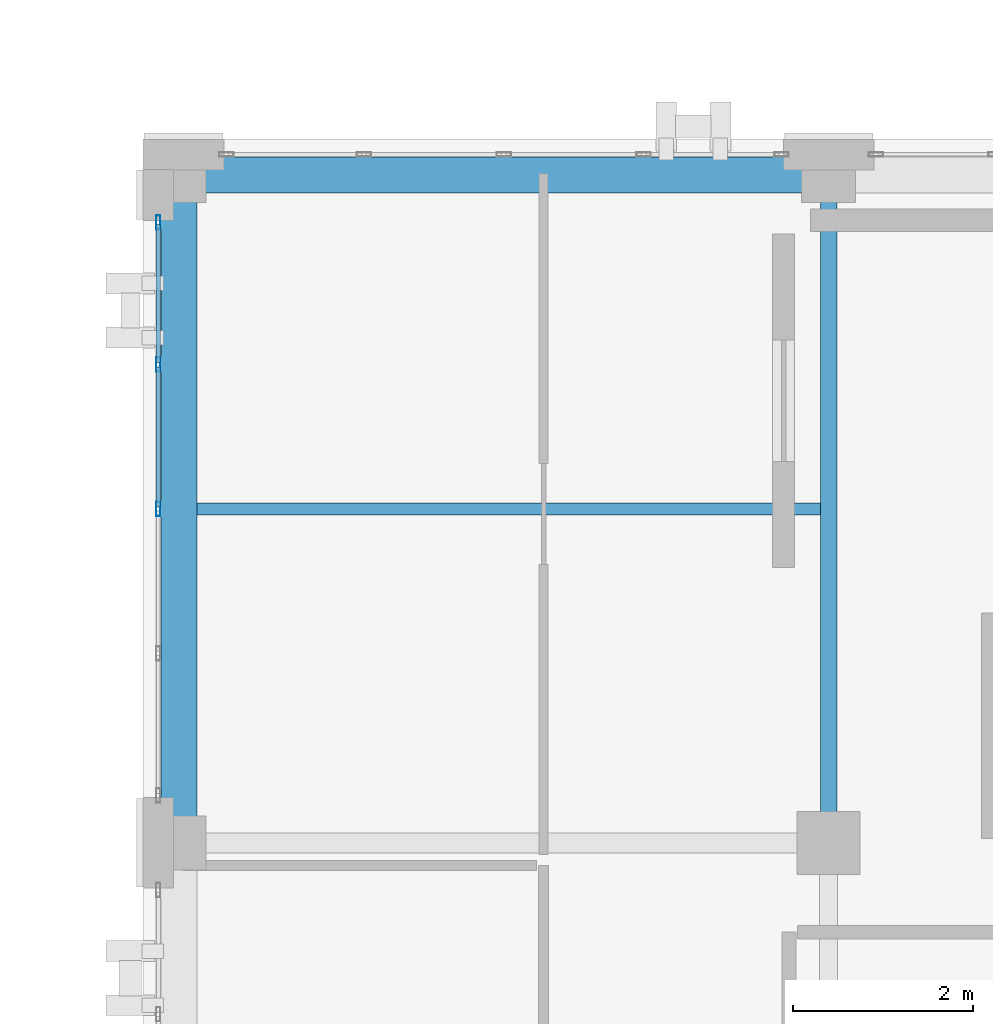
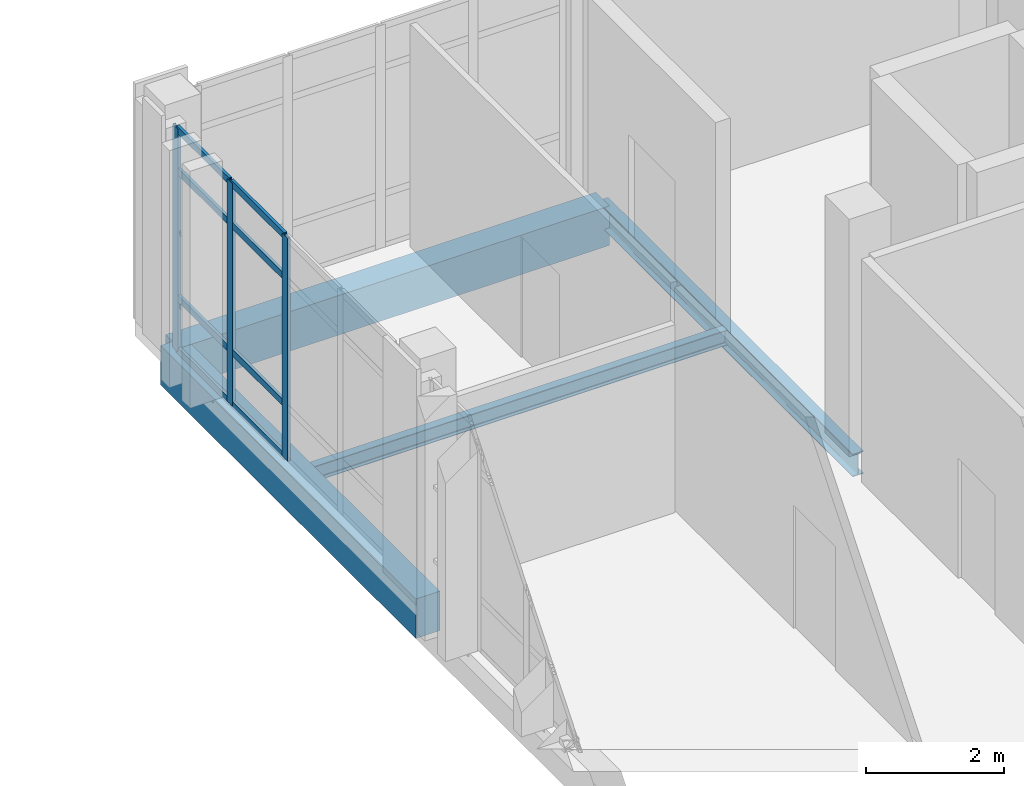
# One storey, part 7 of 22: 11 members, 4 beams, 1 element without a shape of its own.
"""IFC4 building model written with IfcOpenShell, lengths in metres."""

from ifc_helpers import new_model, si_unit, direction, frame, origin, origin_2d, place, context, subcontext, project, spatial, rectangle, hollow_rectangle, i_section, extrude, material, layer, layer_set, material_profile, profile_set, type_object, element, aggregate, save


model = new_model("IFC4")

# Units and contexts
model_context = context("Model", 3, precision=1e-05, world=origin(), true_north=direction((0.0, 1.0)))
body_context = subcontext(model_context, "Body", "Model", "MODEL_VIEW")
ifc_project = project(units=[si_unit("LENGTHUNIT", "METRE"), si_unit("AREAUNIT", "SQUARE_METRE"), si_unit("VOLUMEUNIT", "CUBIC_METRE"), si_unit("PLANEANGLEUNIT", "RADIAN"), si_unit("MASSUNIT", "GRAM", prefix="KILO")], contexts=[model_context])

# Site, building, storey
site_placement = place(None, origin())
site = spatial("IfcSite", under=ifc_project, at=site_placement, CompositionType="ELEMENT")
building_placement = place(site_placement, origin())
building = spatial("IfcBuilding", under=site, at=building_placement, Name="Qalavern Law Courts", CompositionType="ELEMENT")
storey_placement = place(building_placement, frame((0.0, 0.0, 35.39990234375)))
storey = spatial("IfcBuildingStorey", under=building, at=storey_placement, Name="L08", CompositionType="ELEMENT", Elevation=35.39990234375)

# Curtain wall, members
ifc_material_1 = material(Name="Anodised aluminium and insulated glazing", Category="aluminium")
ifc_layer = layer(ifc_material_1, 0.159912109375)
ifc_layer_set = layer_set([ifc_layer], Name="Anodised aluminium and insulated glazing")
curtain_wall_type = type_object("IfcCurtainWallType", Name="ENV-CW-CHAMB", PredefinedType="USERDEFINED", material=ifc_layer_set)
curtain_wall_placement = place(storey_placement, origin())
curtain_wall = element("IfcCurtainWall", 1, at=curtain_wall_placement, inside=storey, type_object=curtain_wall_type, Name="V4 unitised curtain wall L08 west 1", ObjectType="UNITISED CURTAIN WALL", PredefinedType="USERDEFINED")
ifc_material_2 = material(Name="Anodised aluminium", Category="aluminium")
ifc_material_profile_1 = material_profile(ifc_material_2, hollow_rectangle(XDim=0.048095703125, YDim=0.159912109375, WallThickness=0.00390625, at=origin_2d()), Name="ALU MULLION 48x160")
ifc_profile_set_1 = profile_set([ifc_material_profile_1], Name="Anodised aluminium")
member_type_1 = type_object("IfcMemberType", Name="ENV-CWM-48x160", PredefinedType="MULLION", material=ifc_profile_set_1)
member_1_placement = place(storey_placement, frame((84.3701171875, 72.27587890625, 0.0), z_axis=(0.0, 0.0, 1.0), x_axis=(1.0, 0.0, 0.0)))
member_1 = element("IfcMember", 2, at=member_1_placement, type_object=member_type_1, Name="CW-04 mullion 1", PredefinedType="MULLION", context=body_context, shape_type="SweptSolid", body=[
    extrude(hollow_rectangle(XDim=0.048095703125, YDim=0.159912109375, WallThickness=0.00390625, at=origin_2d()), origin(), (0.0, 0.0, 1.0), 3.945068359375),
])
member_2_placement = place(storey_placement, frame((84.3701171875, 70.699951171875, 0.0), z_axis=(0.0, 0.0, 1.0), x_axis=(1.0, 0.0, 0.0)))
member_2 = element("IfcMember", 3, at=member_2_placement, type_object=member_type_1, Name="CW-04 mullion 2", PredefinedType="MULLION", context=body_context, shape_type="SweptSolid", body=[
    extrude(hollow_rectangle(XDim=0.048095703125, YDim=0.159912109375, WallThickness=0.00390625, at=origin_2d()), origin(), (0.0, 0.0, 1.0), 3.945068359375),
])
member_3_placement = place(storey_placement, frame((84.3701171875, 69.10009765625, 0.0), z_axis=(0.0, 0.0, 1.0), x_axis=(1.0, 0.0, 0.0)))
member_3 = element("IfcMember", 4, at=member_3_placement, type_object=member_type_1, Name="CW-04 mullion 3", PredefinedType="MULLION", context=body_context, shape_type="SweptSolid", body=[
    extrude(hollow_rectangle(XDim=0.048095703125, YDim=0.159912109375, WallThickness=0.00390625, at=origin_2d()), origin(), (0.0, 0.0, 1.0), 3.945068359375),
])
ifc_material_profile_2 = material_profile(ifc_material_2, hollow_rectangle(XDim=0.048095703125, YDim=0.1201171875, WallThickness=0.00390625, at=origin_2d()), Name="ALU TRANSOM 48x120")
ifc_profile_set_2 = profile_set([ifc_material_profile_2], Name="Anodised aluminium")
member_type_2 = type_object("IfcMemberType", Name="ENV-CWT-48x120", PredefinedType="USERDEFINED", material=ifc_profile_set_2)
member_4_placement = place(storey_placement, frame((84.3701171875, 72.251953125, 0.024169921875), z_axis=(0.0, -1.0, 0.0), x_axis=(1.0, 0.0, 0.0)))
member_4 = element("IfcMember", 5, at=member_4_placement, type_object=member_type_2, Name="CW-04 transom 1.1", ObjectType="TRANSOM", PredefinedType="USERDEFINED", context=body_context, shape_type="SweptSolid", body=[
    extrude(hollow_rectangle(XDim=0.048095703125, YDim=0.1201171875, WallThickness=0.00390625, at=origin_2d()), origin(), (0.0, 0.0, 1.0), 1.52783203125),
])
member_5_placement = place(storey_placement, frame((84.3701171875, 72.251953125, 0.9501953125), z_axis=(0.0, -1.0, 0.0), x_axis=(1.0, 0.0, 0.0)))
member_5 = element("IfcMember", 6, at=member_5_placement, type_object=member_type_2, Name="CW-04 transom 1.2", ObjectType="TRANSOM", PredefinedType="USERDEFINED", context=body_context, shape_type="SweptSolid", body=[
    extrude(hollow_rectangle(XDim=0.048095703125, YDim=0.1201171875, WallThickness=0.00390625, at=origin_2d()), origin(), (0.0, 0.0, 1.0), 1.52783203125),
])
member_6_placement = place(storey_placement, frame((84.3701171875, 72.251953125, 3.195068359375), z_axis=(0.0, -1.0, 0.0), x_axis=(1.0, 0.0, 0.0)))
member_6 = element("IfcMember", 7, at=member_6_placement, type_object=member_type_2, Name="CW-04 transom 1.3", ObjectType="TRANSOM", PredefinedType="USERDEFINED", context=body_context, shape_type="SweptSolid", body=[
    extrude(hollow_rectangle(XDim=0.048095703125, YDim=0.1201171875, WallThickness=0.00390625, at=origin_2d()), origin(), (0.0, 0.0, 1.0), 1.52783203125),
])
member_7_placement = place(storey_placement, frame((84.3701171875, 72.251953125, 3.921142578125), z_axis=(0.0, -1.0, 0.0), x_axis=(1.0, 0.0, 0.0)))
member_7 = element("IfcMember", 8, at=member_7_placement, type_object=member_type_2, Name="CW-04 transom 1.4", ObjectType="TRANSOM", PredefinedType="USERDEFINED", context=body_context, shape_type="SweptSolid", body=[
    extrude(hollow_rectangle(XDim=0.048095703125, YDim=0.1201171875, WallThickness=0.00390625, at=origin_2d()), origin(), (0.0, 0.0, 1.0), 1.52783203125),
])
member_8_placement = place(storey_placement, frame((84.3701171875, 70.676025390625, 0.024169921875), z_axis=(0.0, -1.0, 0.0), x_axis=(1.0, 0.0, 0.0)))
member_8 = element("IfcMember", 9, at=member_8_placement, type_object=member_type_2, Name="CW-04 transom 2.1", ObjectType="TRANSOM", PredefinedType="USERDEFINED", context=body_context, shape_type="SweptSolid", body=[
    extrude(hollow_rectangle(XDim=0.048095703125, YDim=0.1201171875, WallThickness=0.00390625, at=origin_2d()), origin(), (0.0, 0.0, 1.0), 1.552001953125),
])
member_9_placement = place(storey_placement, frame((84.3701171875, 70.676025390625, 0.9501953125), z_axis=(0.0, -1.0, 0.0), x_axis=(1.0, 0.0, 0.0)))
member_9 = element("IfcMember", 10, at=member_9_placement, type_object=member_type_2, Name="CW-04 transom 2.2", ObjectType="TRANSOM", PredefinedType="USERDEFINED", context=body_context, shape_type="SweptSolid", body=[
    extrude(hollow_rectangle(XDim=0.048095703125, YDim=0.1201171875, WallThickness=0.00390625, at=origin_2d()), origin(), (0.0, 0.0, 1.0), 1.552001953125),
])
member_10_placement = place(storey_placement, frame((84.3701171875, 70.676025390625, 3.195068359375), z_axis=(0.0, -1.0, 0.0), x_axis=(1.0, 0.0, 0.0)))
member_10 = element("IfcMember", 11, at=member_10_placement, type_object=member_type_2, Name="CW-04 transom 2.3", ObjectType="TRANSOM", PredefinedType="USERDEFINED", context=body_context, shape_type="SweptSolid", body=[
    extrude(hollow_rectangle(XDim=0.048095703125, YDim=0.1201171875, WallThickness=0.00390625, at=origin_2d()), origin(), (0.0, 0.0, 1.0), 1.552001953125),
])
member_11_placement = place(storey_placement, frame((84.3701171875, 70.676025390625, 3.921142578125), z_axis=(0.0, -1.0, 0.0), x_axis=(1.0, 0.0, 0.0)))
member_11 = element("IfcMember", 12, at=member_11_placement, type_object=member_type_2, Name="CW-04 transom 2.4", ObjectType="TRANSOM", PredefinedType="USERDEFINED", context=body_context, shape_type="SweptSolid", body=[
    extrude(hollow_rectangle(XDim=0.048095703125, YDim=0.1201171875, WallThickness=0.00390625, at=origin_2d()), origin(), (0.0, 0.0, 1.0), 1.552001953125),
])
aggregate(curtain_wall, [member_1, member_2, member_3, member_4, member_5, member_6, member_7, member_8, member_9, member_10, member_11])

# Beams
ifc_material_3 = material(Name="Steel S355", Category="steel")
ifc_material_profile_3 = material_profile(ifc_material_3, i_section(OverallWidth=0.179931640625, OverallDepth=0.39990234375, WebThickness=0.008544921875, FlangeThickness=0.013427734375, FilletRadius=0.02099609375, at=origin_2d()), Name="IPE 400")
ifc_profile_set_3 = profile_set([ifc_material_profile_3], Name="Steel S355")
beam_type_1 = type_object("IfcBeamType", Name="STR-BM-IPE400", PredefinedType="BEAM", material=ifc_profile_set_3)
beam_1_placement = place(storey_placement, frame((91.800048828125, 65.39990234375, -0.4599609375), z_axis=(0.0, 1.0, 0.0), x_axis=(-1.0, 0.0, 0.0)))
element("IfcBeam", 13, at=beam_1_placement, inside=storey, type_object=beam_type_1, Name="V4 Y-beam 2-3 L08", PredefinedType="BEAM", context=body_context, shape_type="SweptSolid", body=[
    extrude(i_section(OverallWidth=0.179931640625, OverallDepth=0.39990234375, WebThickness=0.008544921875, FlangeThickness=0.013427734375, FilletRadius=0.02099609375, at=origin_2d()), origin(), (0.0, 0.0, 1.0), 7.400146484375),
])
ifc_material_profile_4 = material_profile(ifc_material_3, i_section(OverallWidth=0.135009765625, OverallDepth=0.27001953125, WebThickness=0.006591796875, FlangeThickness=0.01025390625, FilletRadius=0.014892578125, at=origin_2d()), Name="IPE 270")
ifc_profile_set_4 = profile_set([ifc_material_profile_4], Name="Steel S355")
beam_type_2 = type_object("IfcBeamType", Name="STR-JST-IPE270", PredefinedType="JOIST", material=ifc_profile_set_4)
beam_2_placement = place(storey_placement, frame((84.798095703125, 69.10009765625, -0.39501953125), z_axis=(1.0, 0.0, 0.0), x_axis=(0.0, 1.0, 0.0)))
element("IfcBeam", 14, at=beam_2_placement, inside=storey, type_object=beam_type_2, Name="V4 secondary joist 1.4.1 L08", PredefinedType="JOIST", context=body_context, shape_type="SweptSolid", body=[
    extrude(i_section(OverallWidth=0.135009765625, OverallDepth=0.27001953125, WebThickness=0.006591796875, FlangeThickness=0.01025390625, FilletRadius=0.014892578125, at=origin_2d()), origin(), (0.0, 0.0, 1.0), 6.913818359375),
])
ifc_material_4 = material(Name="Concrete C40/50", Category="concrete")
ifc_material_profile_5 = material_profile(ifc_material_4, rectangle(XDim=0.39990234375, YDim=0.699951171875, at=origin_2d()), Name="RC 400x700")
ifc_profile_set_5 = profile_set([ifc_material_profile_5], Name="Concrete C40/50")
beam_type_3 = type_object("IfcBeamType", Name="STR-SP-RC400x700", PredefinedType="SPANDREL", material=ifc_profile_set_5)
beam_3_placement = place(storey_placement, frame((84.60009765625, 72.800048828125, -0.60986328125), z_axis=(1.0, 0.0, 0.0), x_axis=(0.0, 1.0, 0.0)))
element("IfcBeam", 15, at=beam_3_placement, inside=storey, type_object=beam_type_3, Name="V4 X-beam 5-1 L08", PredefinedType="SPANDREL", context=body_context, shape_type="SweptSolid", body=[
    extrude(rectangle(XDim=0.39990234375, YDim=0.699951171875, at=origin_2d()), origin(), (0.0, 0.0, 1.0), 7.199951171875),
])
beam_4_placement = place(storey_placement, frame((84.60009765625, 65.39990234375, -0.60986328125), z_axis=(0.0, 1.0, 0.0), x_axis=(-1.0, 0.0, 0.0)))
element("IfcBeam", 16, at=beam_4_placement, inside=storey, type_object=beam_type_3, Name="V4 Y-beam 1-4 L08", PredefinedType="SPANDREL", context=body_context, shape_type="SweptSolid", body=[
    extrude(rectangle(XDim=0.39990234375, YDim=0.699951171875, at=origin_2d()), origin(), (0.0, 0.0, 1.0), 7.400146484375),
])

save(model, "model.ifc")
